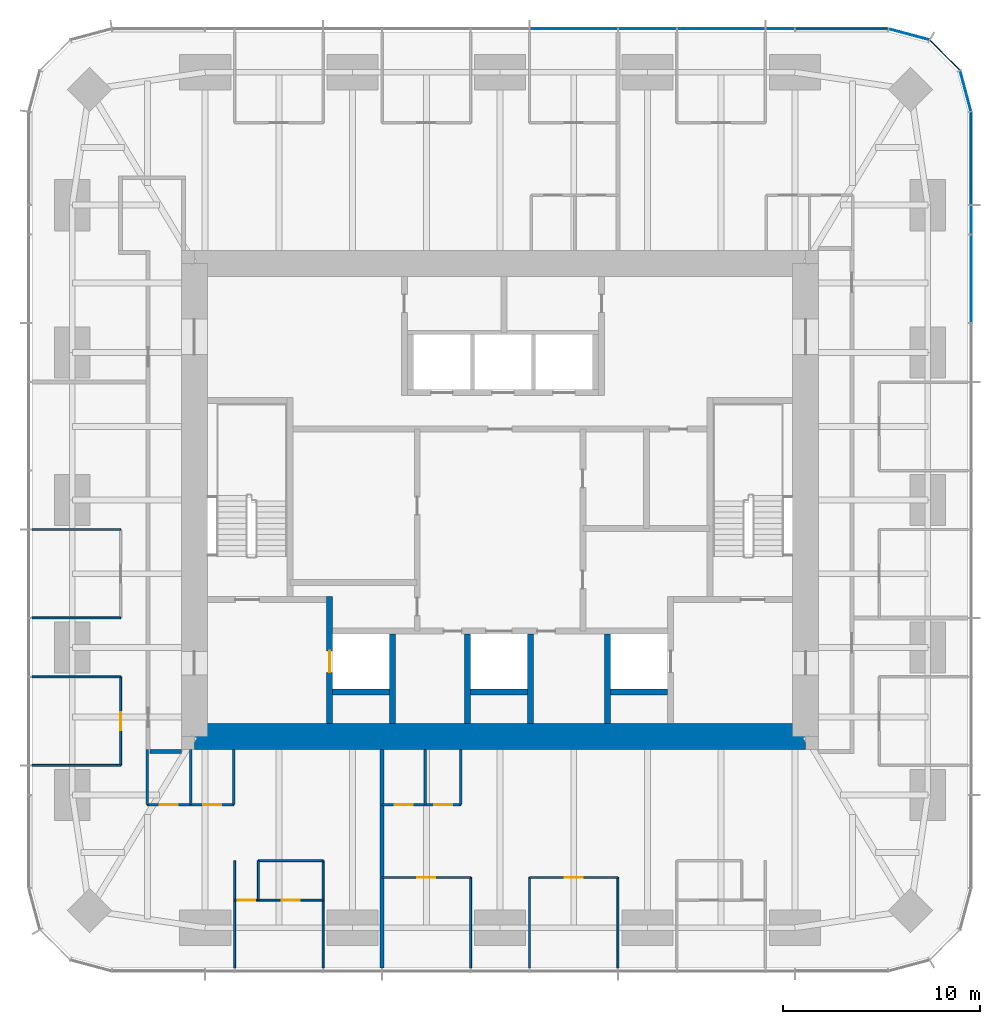
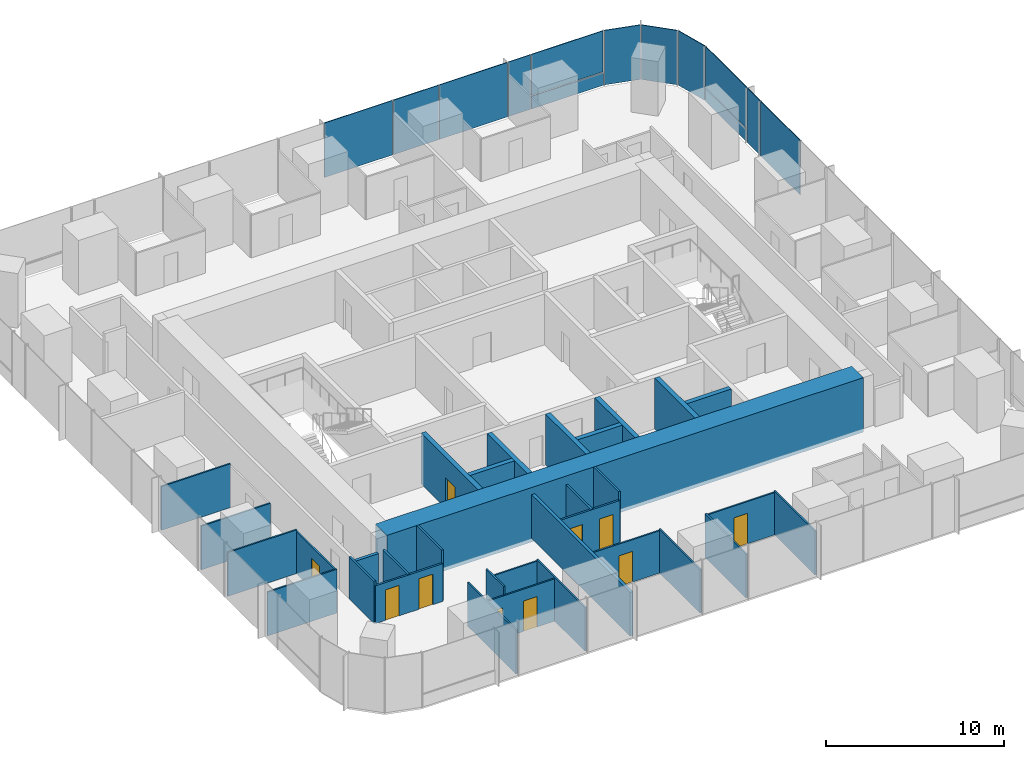
# One storey, part 8 of 12: 33 walls, 13 plates, 10 doors, 10 openings, 3 elements without a shape of their own.
"""IFC4 building model written with IfcOpenShell, lengths in metres."""

from ifc_helpers import new_model, si_unit, direction, frame, frame_2d, origin, origin_2d, place, context, subcontext, project, spatial, rectangle, extrude, material, layer, layer_set, type_object, element, fill, aggregate, save


model = new_model("IFC4")

# Units and contexts
model_context = context("Model", 3, precision=1e-05, world=origin(), true_north=direction((0.0, 1.0)))
body_context = subcontext(model_context, "Body", "Model", "MODEL_VIEW")
ifc_project = project(units=[si_unit("LENGTHUNIT", "METRE"), si_unit("AREAUNIT", "SQUARE_METRE"), si_unit("VOLUMEUNIT", "CUBIC_METRE"), si_unit("PLANEANGLEUNIT", "RADIAN"), si_unit("MASSUNIT", "GRAM", prefix="KILO")], contexts=[model_context])

# Site, building, storey
site_placement = place(None, origin())
site = spatial("IfcSite", under=ifc_project, at=site_placement, CompositionType="ELEMENT")
building_placement = place(site_placement, origin())
building = spatial("IfcBuilding", under=site, at=building_placement, Name="Khuree Lantern Residences", CompositionType="ELEMENT")
storey_placement = place(building_placement, frame((0.0, 0.0, 297.0)))
storey = spatial("IfcBuildingStorey", under=building, at=storey_placement, Name="L74", CompositionType="ELEMENT", Elevation=297.0)

# Curtain wall, plates
ifc_material_1 = material(Name="Bronze anodised aluminium", Category="aluminium")
curtain_wall_type_1 = type_object("IfcCurtainWallType", Name="CW-T2 TOWER CORNER CURTAIN WALL", PredefinedType="USERDEFINED", material=ifc_material_1)
curtain_wall_1_placement = place(storey_placement, origin())
curtain_wall_1 = element("IfcCurtainWall", 1, at=curtain_wall_1_placement, inside=storey, type_object=curtain_wall_type_1, Name="L74 NORTH-EAST CORNER CURTAIN WALL", ObjectType="Faceted corner curtain wall", PredefinedType="USERDEFINED")
ifc_material_2 = material(Name="Bronze tinted triple glazing", Category="glass")
ifc_layer_1 = layer(ifc_material_2, 0.048095703125)
ifc_layer_set_1 = layer_set([ifc_layer_1], Name="FACET PANEL P4")
plate_type_1 = type_object("IfcPlateType", Name="FACET PANEL P4", PredefinedType="CURTAIN_PANEL", material=ifc_layer_set_1)
plate_1_placement = place(storey_placement, frame((23.619140625, 20.748046875, 0.0), z_axis=(0.0, 0.0, 1.0), x_axis=(-0.2588189146, 0.965925861257, 0.0)))
plate_1 = element("IfcPlate", 2, at=plate_1_placement, type_object=plate_type_1, Name="L74 NORTH-EAST CORNER PANEL 15.1", PredefinedType="CURTAIN_PANEL", context=body_context, shape_type="SweptSolid", body=[
    extrude(rectangle(XDim=2.09814453125, YDim=0.048095703125, at=origin_2d()), origin(), (0.0, 0.0, 1.0), 3.75),
])
plate_2_placement = place(storey_placement, frame((22.568603515625, 22.568603515625, 0.0), z_axis=(0.0, 0.0, 1.0), x_axis=(-0.707106781187, 0.707106781187, 0.0)))
plate_2 = element("IfcPlate", 3, at=plate_2_placement, type_object=plate_type_1, Name="L74 NORTH-EAST CORNER PANEL 16.1", PredefinedType="CURTAIN_PANEL", context=body_context, shape_type="SweptSolid", body=[
    extrude(rectangle(XDim=2.093994140625, YDim=0.048095703125, at=origin_2d()), origin(), (0.0, 0.0, 1.0), 3.75),
])
plate_3_placement = place(storey_placement, frame((20.748046875, 23.619140625, 0.0), z_axis=(0.0, 0.0, 1.0), x_axis=(-0.965925861257, 0.2588189146, 0.0)))
plate_3 = element("IfcPlate", 4, at=plate_3_placement, type_object=plate_type_1, Name="L74 NORTH-EAST CORNER PANEL 17.1", PredefinedType="CURTAIN_PANEL", context=body_context, shape_type="SweptSolid", body=[
    extrude(rectangle(XDim=2.09814453125, YDim=0.048095703125, at=origin_2d()), origin(), (0.0, 0.0, 1.0), 3.75),
])
aggregate(curtain_wall_1, [plate_1, plate_2, plate_3])

# Curtain wall, plate
curtain_wall_type_2 = type_object("IfcCurtainWallType", Name="CW-T1 TOWER FACE CURTAIN WALL", PredefinedType="USERDEFINED", material=ifc_material_1)
curtain_wall_2_placement = place(storey_placement, origin())
curtain_wall_2 = element("IfcCurtainWall", 5, at=curtain_wall_2_placement, inside=storey, type_object=curtain_wall_type_2, Name="L74 EAST FACE CURTAIN WALL", ObjectType="Stick-built curtain wall", PredefinedType="USERDEFINED")
ifc_material_3 = material(Name="Bronze tinted triple glazing with a ceramic-fritted spandrel band", Category="glass")
ifc_layer_2 = layer(ifc_material_3, 0.048095703125)
ifc_layer_set_2 = layer_set([ifc_layer_2], Name="FIXED LIGHT PANEL P11")
plate_type_2 = type_object("IfcPlateType", Name="FIXED LIGHT PANEL P11", PredefinedType="CURTAIN_PANEL", material=ifc_layer_set_2)
plate_4_placement = place(storey_placement, frame((23.89990234375, 11.219970703125, 0.0), z_axis=(0.0, 0.0, 1.0), x_axis=(0.0, 1.0, 0.0)))
plate_4 = element("IfcPlate", 6, at=plate_4_placement, type_object=plate_type_2, Name="L74 EAST FACE PANEL 12.1", PredefinedType="CURTAIN_PANEL", context=body_context, shape_type="SweptSolid", body=[
    extrude(rectangle(XDim=4.423095703125, YDim=0.048095703125, at=origin_2d()), origin(), (0.0, 0.0, 1.0), 3.75),
])

# Curtain wall, plates
curtain_wall_3_placement = place(storey_placement, origin())
curtain_wall_3 = element("IfcCurtainWall", 7, at=curtain_wall_3_placement, inside=storey, type_object=curtain_wall_type_2, Name="L74 NORTH FACE CURTAIN WALL", ObjectType="Stick-built curtain wall", PredefinedType="USERDEFINED")
plate_5_placement = place(storey_placement, frame((11.219970703125, 23.89990234375, 0.0), z_axis=(0.0, 0.0, 1.0), x_axis=(-1.0, 0.0, 0.0)))
plate_5 = element("IfcPlate", 8, at=plate_5_placement, type_object=plate_type_2, Name="L74 NORTH FACE PANEL 20.1", PredefinedType="CURTAIN_PANEL", context=body_context, shape_type="SweptSolid", body=[
    extrude(rectangle(XDim=4.423095703125, YDim=0.048095703125, at=origin_2d()), origin(), (0.0, 0.0, 1.0), 3.75),
])
plate_6_placement = place(storey_placement, frame((3.739990234375, 23.89990234375, 0.0), z_axis=(0.0, 0.0, 1.0), x_axis=(-1.0, 0.0, 0.0)))
plate_6 = element("IfcPlate", 9, at=plate_6_placement, type_object=plate_type_2, Name="L74 NORTH FACE PANEL 22.1", PredefinedType="CURTAIN_PANEL", context=body_context, shape_type="SweptSolid", body=[
    extrude(rectangle(XDim=4.423095703125, YDim=0.048095703125, at=origin_2d()), origin(), (0.0, 0.0, 1.0), 3.75),
])
ifc_material_4 = material(Name="Bronze tinted triple glazing, two aluminium-framed sashes in one frame", Category="aluminium")
ifc_layer_3 = layer(ifc_material_4, 0.048095703125)
ifc_layer_set_3 = layer_set([ifc_layer_3], Name="SASH PAIR PANEL P12")
plate_type_3 = type_object("IfcPlateType", Name="SASH PAIR PANEL P12", PredefinedType="CURTAIN_PANEL", material=ifc_layer_set_3)
plate_7_placement = place(storey_placement, frame((7.47998046875, 23.89990234375, 0.0), z_axis=(0.0, 0.0, 1.0), x_axis=(-1.0, 0.0, 0.0)))
plate_7 = element("IfcPlate", 10, at=plate_7_placement, type_object=plate_type_3, Name="L74 NORTH FACE PANEL 21.1", PredefinedType="CURTAIN_PANEL", context=body_context, shape_type="SweptSolid", body=[
    extrude(rectangle(XDim=2.927001953125, YDim=0.048095703125, at=origin_2d()), origin(), (0.0, 0.0, 1.0), 3.75),
])

# Plate
ifc_material_5 = material(Name="Bronze tinted triple glazing, aluminium-framed sash", Category="aluminium")
ifc_layer_4 = layer(ifc_material_5, 0.048095703125)
ifc_layer_set_4 = layer_set([ifc_layer_4], Name="SASH PANEL P3")
plate_type_4 = type_object("IfcPlateType", Name="SASH PANEL P3", PredefinedType="CURTAIN_PANEL", material=ifc_layer_set_4)
plate_8_placement = place(storey_placement, frame((23.89990234375, 14.2119140625, 0.0), z_axis=(0.0, 0.0, 1.0), x_axis=(0.0, 1.0, 0.0)))
plate_8 = element("IfcPlate", 11, at=plate_8_placement, type_object=plate_type_4, Name="L74 EAST FACE PANEL 13.1", PredefinedType="CURTAIN_PANEL", context=body_context, shape_type="SweptSolid", body=[
    extrude(rectangle(XDim=1.430908203125, YDim=0.048095703125, at=origin_2d()), origin(), (0.0, 0.0, 1.0), 3.75),
])

plate_9_placement = place(storey_placement, frame((14.2119140625, 23.89990234375, 0.0), z_axis=(0.0, 0.0, 1.0), x_axis=(-1.0, 0.0, 0.0)))
plate_9 = element("IfcPlate", 12, at=plate_9_placement, type_object=plate_type_4, Name="L74 NORTH FACE PANEL 19.1", PredefinedType="CURTAIN_PANEL", context=body_context, shape_type="SweptSolid", body=[
    extrude(rectangle(XDim=1.430908203125, YDim=0.048095703125, at=origin_2d()), origin(), (0.0, 0.0, 1.0), 3.75),
])

ifc_material_6 = material(Name="Bronze anodised aluminium insulated spandrel", Category="aluminium")
ifc_layer_5 = layer(ifc_material_6, 0.06005859375)
ifc_layer_set_5 = layer_set([ifc_layer_5], Name="SPANDREL PANEL P2")
plate_type_5 = type_object("IfcPlateType", Name="SPANDREL PANEL P2", PredefinedType="CURTAIN_PANEL", material=ifc_layer_set_5)
plate_10_placement = place(storey_placement, frame((23.89990234375, 17.327880859375, 0.0), z_axis=(0.0, 0.0, 1.0), x_axis=(0.0, 1.0, 0.0)))
plate_10 = element("IfcPlate", 13, at=plate_10_placement, type_object=plate_type_5, Name="L74 EAST FACE PANEL 14.1", PredefinedType="CURTAIN_PANEL", context=body_context, shape_type="SweptSolid", body=[
    extrude(rectangle(XDim=4.670654296875, YDim=0.06005859375, at=origin_2d()), origin(), (0.0, 0.0, 1.0), 0.867431640625),
])

plate_11_placement = place(storey_placement, frame((17.327880859375, 23.89990234375, 0.0), z_axis=(0.0, 0.0, 1.0), x_axis=(-1.0, 0.0, 0.0)))
plate_11 = element("IfcPlate", 14, at=plate_11_placement, type_object=plate_type_5, Name="L74 NORTH FACE PANEL 18.1", PredefinedType="CURTAIN_PANEL", context=body_context, shape_type="SweptSolid", body=[
    extrude(rectangle(XDim=4.670654296875, YDim=0.06005859375, at=origin_2d()), origin(), (0.0, 0.0, 1.0), 0.867431640625),
])

ifc_layer_6 = layer(ifc_material_2, 0.048095703125)
ifc_layer_set_6 = layer_set([ifc_layer_6], Name="VISION PANEL P1")
plate_type_6 = type_object("IfcPlateType", Name="VISION PANEL P1", PredefinedType="CURTAIN_PANEL", material=ifc_layer_set_6)
plate_12_placement = place(storey_placement, frame((23.89990234375, 17.328369140625, 0.9326171875), z_axis=(0.0, 0.0, 1.0), x_axis=(0.0, 1.0, 0.0)))
plate_12 = element("IfcPlate", 15, at=plate_12_placement, type_object=plate_type_6, Name="L74 EAST FACE PANEL 14.2", PredefinedType="CURTAIN_PANEL", context=body_context, shape_type="SweptSolid", body=[
    extrude(rectangle(XDim=4.671630859375, YDim=0.048095703125, at=origin_2d()), origin(), (0.0, 0.0, 1.0), 2.8173828125),
])

aggregate(curtain_wall_2, [plate_4, plate_8, plate_10, plate_12])

plate_13_placement = place(storey_placement, frame((17.328369140625, 23.89990234375, 0.9326171875), z_axis=(0.0, 0.0, 1.0), x_axis=(-1.0, 0.0, 0.0)))
plate_13 = element("IfcPlate", 16, at=plate_13_placement, type_object=plate_type_6, Name="L74 NORTH FACE PANEL 18.2", PredefinedType="CURTAIN_PANEL", context=body_context, shape_type="SweptSolid", body=[
    extrude(rectangle(XDim=4.671630859375, YDim=0.048095703125, at=origin_2d()), origin(), (0.0, 0.0, 1.0), 2.8173828125),
])

aggregate(curtain_wall_3, [plate_11, plate_13, plate_9, plate_5, plate_7, plate_6])

# Wall, openings, doors
ifc_material_7 = material(Name="Moisture-resistant gypsum board on steel studs", Category="steel")
ifc_layer_7 = layer(ifc_material_7, 0.125)
ifc_layer_set_7 = layer_set([ifc_layer_7], Name="BATHROOM WALL BTW125")
wall_type_1 = type_object("IfcWallType", Name="BATHROOM WALL BTW125", PredefinedType="PARTITIONING", material=ifc_layer_set_7)
wall_1_placement = place(storey_placement, frame((-17.89990234375, -15.449951171875, 0.0), z_axis=(0.0, 0.0, 1.0), x_axis=(1.0, 0.0, 0.0)))
wall_1 = element("IfcWall", 17, at=wall_1_placement, inside=storey, type_object=wall_type_1, Name="L74 BATHROOM WALL 03", PredefinedType="PARTITIONING", context=body_context, shape_type="SweptSolid", body=[
    extrude(rectangle(XDim=4.39990234375, YDim=0.125, at=frame_2d((2.199951171875, 0.0))), origin(), (0.0, 0.0, 1.0), 2.60009765625),
])
opening_1_placement = place(wall_1_placement, frame((0.64990234375, 0.0, 0.0)))
opening_1 = element("IfcOpeningElement", 18, at=opening_1_placement, cuts=wall_1, Name="Opening 74-039", PredefinedType="OPENING", context=body_context, shape_type="SweptSolid", body=[
    extrude(rectangle(XDim=0.89990234375, YDim=2.10009765625, at=frame_2d((0.449951171875, 1.050048828125))), frame((0.0, 0.072509765625, 0.0), z_axis=(0.0, -1.0, 0.0), x_axis=(1.0, 0.0, 0.0)), (0.0, 0.0, 1.0), 0.14501953125),
])
opening_2_placement = place(wall_1_placement, frame((2.85009765625, 0.0, 0.0)))
opening_2 = element("IfcOpeningElement", 19, at=opening_2_placement, cuts=wall_1, Name="Opening 74-040", PredefinedType="OPENING", context=body_context, shape_type="SweptSolid", body=[
    extrude(rectangle(XDim=0.89990234375, YDim=2.10009765625, at=frame_2d((0.449951171875, 1.050048828125))), frame((0.0, 0.072509765625, 0.0), z_axis=(0.0, -1.0, 0.0), x_axis=(1.0, 0.0, 0.0)), (0.0, 0.0, 1.0), 0.14501953125),
])
ifc_material_8 = material(Name="Timber door leaf in hardwood frame", Category="wood")
door_type_1 = type_object("IfcDoorType", Name="BATHROOM DOOR 900X2100", OperationType="SINGLE_SWING_LEFT", PredefinedType="DOOR", material=ifc_material_8)
door_1_placement = place(opening_1_placement, origin())
door_1 = element("IfcDoor", 20, at=door_1_placement, inside=storey, type_object=door_type_1, Name="Bathroom door 74-039", OperationType="SINGLE_SWING_LEFT", OverallHeight=2.10009765625, OverallWidth=0.89990234375, PredefinedType="DOOR", context=body_context, shape_type="SweptSolid", body=[
    extrude(rectangle(XDim=0.89990234375, YDim=2.10009765625, at=frame_2d((0.449951171875, 1.050048828125))), frame((0.0, 0.02490234375, 0.0), z_axis=(0.0, -1.0, 0.0), x_axis=(1.0, 0.0, 0.0)), (0.0, 0.0, 1.0), 0.050048828125),
])
fill(opening_1, door_1)
door_2_placement = place(opening_2_placement, origin())
door_2 = element("IfcDoor", 21, at=door_2_placement, inside=storey, type_object=door_type_1, Name="Bathroom door 74-040", OperationType="SINGLE_SWING_LEFT", OverallHeight=2.10009765625, OverallWidth=0.89990234375, PredefinedType="DOOR", context=body_context, shape_type="SweptSolid", body=[
    extrude(rectangle(XDim=0.89990234375, YDim=2.10009765625, at=frame_2d((0.449951171875, 1.050048828125))), frame((0.0, 0.02490234375, 0.0), z_axis=(0.0, -1.0, 0.0), x_axis=(1.0, 0.0, 0.0)), (0.0, 0.0, 1.0), 0.050048828125),
])
fill(opening_2, door_2)

# Walls
wall_2_placement = place(storey_placement, frame((-17.89990234375, -12.64990234375, 0.0), z_axis=(0.0, 0.0, 1.0), x_axis=(0.0, -1.0, 0.0)))
element("IfcWall", 22, at=wall_2_placement, inside=storey, type_object=wall_type_1, Name="L74 BATHROOM WALL 03", PredefinedType="PARTITIONING", context=body_context, shape_type="SweptSolid", body=[
    extrude(rectangle(XDim=2.800048828125, YDim=0.125, at=frame_2d((1.39990234375, 0.0))), origin(), (0.0, 0.0, 1.0), 2.89990234375),
])
wall_3_placement = place(storey_placement, frame((-15.699951171875, -12.64990234375, 0.0), z_axis=(0.0, 0.0, 1.0), x_axis=(0.0, -1.0, 0.0)))
element("IfcWall", 23, at=wall_3_placement, inside=storey, type_object=wall_type_1, Name="L74 BATHROOM WALL 03", PredefinedType="PARTITIONING", context=body_context, shape_type="SweptSolid", body=[
    extrude(rectangle(XDim=2.800048828125, YDim=0.125, at=frame_2d((1.39990234375, 0.0))), origin(), (0.0, 0.0, 1.0), 2.60009765625),
])
wall_4_placement = place(storey_placement, frame((-13.5, -12.64990234375, 0.0), z_axis=(0.0, 0.0, 1.0), x_axis=(0.0, -1.0, 0.0)))
element("IfcWall", 24, at=wall_4_placement, inside=storey, type_object=wall_type_1, Name="L74 BATHROOM WALL 03", PredefinedType="PARTITIONING", context=body_context, shape_type="SweptSolid", body=[
    extrude(rectangle(XDim=2.800048828125, YDim=0.125, at=frame_2d((1.39990234375, 0.0))), origin(), (0.0, 0.0, 1.0), 3.5),
])

# Wall, openings, doors
wall_5_placement = place(storey_placement, frame((-5.98388671875, -15.449951171875, 0.0), z_axis=(0.0, 0.0, 1.0), x_axis=(1.0, 0.0, 0.0)))
wall_5 = element("IfcWall", 25, at=wall_5_placement, inside=storey, type_object=wall_type_1, Name="L74 BATHROOM WALL 04", PredefinedType="PARTITIONING", context=body_context, shape_type="SweptSolid", body=[
    extrude(rectangle(XDim=4.0, YDim=0.125, at=frame_2d((2.0, 0.0))), origin(), (0.0, 0.0, 1.0), 2.909912109375),
])
opening_3_placement = place(wall_5_placement, frame((0.64990234375, 0.0, 0.0)))
opening_3 = element("IfcOpeningElement", 26, at=opening_3_placement, cuts=wall_5, Name="Opening 74-047", PredefinedType="OPENING", context=body_context, shape_type="SweptSolid", body=[
    extrude(rectangle(XDim=0.89990234375, YDim=2.10009765625, at=frame_2d((0.449951171875, 1.050048828125))), frame((0.0, 0.072509765625, 0.0), z_axis=(0.0, -1.0, 0.0), x_axis=(1.0, 0.0, 0.0)), (0.0, 0.0, 1.0), 0.14501953125),
])
opening_4_placement = place(wall_5_placement, frame((2.64990234375, 0.0, 0.0)))
opening_4 = element("IfcOpeningElement", 27, at=opening_4_placement, cuts=wall_5, Name="Opening 74-048", PredefinedType="OPENING", context=body_context, shape_type="SweptSolid", body=[
    extrude(rectangle(XDim=0.89990234375, YDim=2.10009765625, at=frame_2d((0.449951171875, 1.050048828125))), frame((0.0, 0.072509765625, 0.0), z_axis=(0.0, -1.0, 0.0), x_axis=(1.0, 0.0, 0.0)), (0.0, 0.0, 1.0), 0.14501953125),
])
door_3_placement = place(opening_3_placement, origin())
door_3 = element("IfcDoor", 28, at=door_3_placement, inside=storey, type_object=door_type_1, Name="Bathroom door 74-047", OperationType="SINGLE_SWING_LEFT", OverallHeight=2.10009765625, OverallWidth=0.89990234375, PredefinedType="DOOR", context=body_context, shape_type="SweptSolid", body=[
    extrude(rectangle(XDim=0.89990234375, YDim=2.10009765625, at=frame_2d((0.449951171875, 1.050048828125))), frame((0.0, 0.02490234375, 0.0), z_axis=(0.0, -1.0, 0.0), x_axis=(1.0, 0.0, 0.0)), (0.0, 0.0, 1.0), 0.050048828125),
])
fill(opening_3, door_3)
door_type_2 = type_object("IfcDoorType", Name="DOOR 900X2100", OperationType="SINGLE_SWING_LEFT", PredefinedType="DOOR", material=ifc_material_8)
door_4_placement = place(opening_4_placement, origin())
door_4 = element("IfcDoor", 29, at=door_4_placement, inside=storey, type_object=door_type_2, Name="Store door 74-048", OperationType="SINGLE_SWING_LEFT", OverallHeight=2.10009765625, OverallWidth=0.89990234375, PredefinedType="DOOR", context=body_context, shape_type="SweptSolid", body=[
    extrude(rectangle(XDim=0.89990234375, YDim=2.10009765625, at=frame_2d((0.449951171875, 1.050048828125))), frame((0.0, 0.02490234375, 0.0), z_axis=(0.0, -1.0, 0.0), x_axis=(1.0, 0.0, 0.0)), (0.0, 0.0, 1.0), 0.050048828125),
])
fill(opening_4, door_4)

# Walls
wall_6_placement = place(storey_placement, frame((-3.783935546875, -12.64990234375, 0.0), z_axis=(0.0, 0.0, 1.0), x_axis=(0.0, -1.0, 0.0)))
element("IfcWall", 30, at=wall_6_placement, inside=storey, type_object=wall_type_1, Name="L74 BATHROOM WALL 04", PredefinedType="PARTITIONING", context=body_context, shape_type="SweptSolid", body=[
    extrude(rectangle(XDim=2.800048828125, YDim=0.125, at=frame_2d((1.39990234375, 0.0))), origin(), (0.0, 0.0, 1.0), 2.909912109375),
])
wall_7_placement = place(storey_placement, frame((-1.98388671875, -12.64990234375, 0.0), z_axis=(0.0, 0.0, 1.0), x_axis=(0.0, -1.0, 0.0)))
element("IfcWall", 31, at=wall_7_placement, inside=storey, type_object=wall_type_1, Name="L74 BATHROOM WALL 04", PredefinedType="PARTITIONING", context=body_context, shape_type="SweptSolid", body=[
    extrude(rectangle(XDim=2.800048828125, YDim=0.125, at=frame_2d((1.39990234375, 0.0))), origin(), (0.0, 0.0, 1.0), 3.5),
])

# Wall, opening, door
ifc_material_9 = material(Name="Dense concrete blockwork", Category="masonry")
ifc_layer_8 = layer(ifc_material_9, 0.300048828125)
ifc_layer_set_8 = layer_set([ifc_layer_8], Name="CORE PARTITION WALL CPW300 EI 120")
wall_type_2 = type_object("IfcWallType", Name="CORE PARTITION WALL CPW300 EI 120", PredefinedType="PARTITIONING", material=ifc_layer_set_8)
wall_8_placement = place(storey_placement, frame((-8.64990234375, -11.35009765625, 0.0), z_axis=(0.0, 0.0, 1.0), x_axis=(0.0, 1.0, 0.0)))
wall_8 = element("IfcWall", 32, at=wall_8_placement, inside=storey, type_object=wall_type_2, Name="L74 CORE WALL FL1W", PredefinedType="PARTITIONING", context=body_context, shape_type="SweptSolid", body=[
    extrude(rectangle(XDim=6.4501953125, YDim=0.300048828125, at=frame_2d((3.22509765625, 0.0))), origin(), (0.0, 0.0, 1.0), 3.5),
])
opening_5_placement = place(wall_8_placement, frame((2.60009765625, 0.0, 0.0)))
opening_5 = element("IfcOpeningElement", 33, at=opening_5_placement, cuts=wall_8, Name="Opening 74-007", PredefinedType="OPENING", context=body_context, shape_type="SweptSolid", body=[
    extrude(rectangle(XDim=1.10009765625, YDim=2.10009765625, at=frame_2d((0.550048828125, 1.050048828125))), frame((0.0, 0.16015625, 0.0), z_axis=(0.0, -1.0, 0.0), x_axis=(1.0, 0.0, 0.0)), (0.0, 0.0, 1.0), 0.320068359375),
])
ifc_material_10 = material(Name="Stainless steel lift landing door", Category="steel")
door_type_3 = type_object("IfcDoorType", Name="LIFT LANDING DOOR 1100X2100 E 120", OperationType="DOUBLE_DOOR_SLIDING", PredefinedType="DOOR", material=ifc_material_10)
door_5_placement = place(opening_5_placement, origin())
door_5 = element("IfcDoor", 34, at=door_5_placement, inside=storey, type_object=door_type_3, Name="Landing door FL1 74-007", OperationType="DOUBLE_DOOR_SLIDING", OverallHeight=2.10009765625, OverallWidth=1.10009765625, PredefinedType="DOOR", context=body_context, shape_type="SweptSolid", body=[
    extrude(rectangle(XDim=1.10009765625, YDim=2.10009765625, at=frame_2d((0.550048828125, 1.050048828125))), frame((0.0, 0.02490234375, 0.0), z_axis=(0.0, -1.0, 0.0), x_axis=(1.0, 0.0, 0.0)), (0.0, 0.0, 1.0), 0.050048828125),
])
fill(opening_5, door_5)

# Walls
for number, where, z_axis, x_axis, name in (
    (35, (-5.449951171875, -11.35009765625, 0.0), (0.0, 0.0, 1.0), (0.0, 1.0, 0.0), "L74 CORE WALL FL1E"),
    (36, (-1.64990234375, -11.35009765625, 0.0), (0.0, 0.0, 1.0), (0.0, 1.0, 0.0), "L74 CORE WALL SL1W"),
    (37, (1.550048828125, -11.35009765625, 0.0), (0.0, 0.0, 1.0), (0.0, 1.0, 0.0), "L74 CORE WALL SL1E"),
    (38, (5.449951171875, -11.35009765625, 0.0), (0.0, 0.0, 1.0), (0.0, 1.0, 0.0), "L74 CORE WALL FL2W"),
):
    element("IfcWall", number, at=place(storey_placement, frame(where, z_axis=z_axis, x_axis=x_axis)), inside=storey, type_object=wall_type_2, Name=name, PredefinedType="PARTITIONING", context=body_context, shape_type="SweptSolid", body=[
        extrude(rectangle(XDim=4.550048828125, YDim=0.300048828125, at=frame_2d((2.27490234375, 0.0))), origin(), (0.0, 0.0, 1.0), 3.5),
    ])
for number, where, z_axis, x_axis, name in (
    (39, (-8.5, -9.75, 0.0), (0.0, 0.0, 1.0), (1.0, 0.0, 0.0), "L74 CORE WALL FL1S"),
    (40, (-1.5, -9.75, 0.0), (0.0, 0.0, 1.0), (1.0, 0.0, 0.0), "L74 CORE WALL SL1S"),
    (41, (5.60009765625, -9.75, 0.0), (0.0, 0.0, 1.0), (1.0, 0.0, 0.0), "L74 CORE WALL FL2S"),
):
    element("IfcWall", number, at=place(storey_placement, frame(where, z_axis=z_axis, x_axis=x_axis)), inside=storey, type_object=wall_type_2, Name=name, PredefinedType="PARTITIONING", context=body_context, shape_type="SweptSolid", body=[
        extrude(rectangle(XDim=2.89990234375, YDim=0.300048828125, at=frame_2d((1.449951171875, 0.0))), origin(), (0.0, 0.0, 1.0), 3.5),
    ])
ifc_material_11 = material(Name="Gypsum board on steel studs", Category="steel")
ifc_layer_9 = layer(ifc_material_11, 0.199951171875)
ifc_layer_set_9 = layer_set([ifc_layer_9], Name="CORRIDOR WALL CRW200 EI 60")
wall_type_3 = type_object("IfcWallType", Name="CORRIDOR WALL CRW200 EI 60", PredefinedType="PARTITIONING", material=ifc_layer_set_9)
wall_9_placement = place(storey_placement, frame((-16.14990234375, -12.75, 0.0), z_axis=(0.0, 0.0, 1.0), x_axis=(-1.0, 0.0, 0.0)))
element("IfcWall", 42, at=wall_9_placement, inside=storey, type_object=wall_type_3, Name="L74 WEST CORRIDOR SOUTH END WALL", PredefinedType="PARTITIONING", context=body_context, shape_type="SweptSolid", body=[
    extrude(rectangle(XDim=1.60009765625, YDim=0.199951171875, at=frame_2d((0.800048828125, 0.0))), origin(), (0.0, 0.0, 1.0), 2.60009765625),
])
ifc_material_12 = material(Name="Concrete C50/60", Category="concrete")
ifc_layer_10 = layer(ifc_material_12, 1.300048828125)
ifc_layer_set_10 = layer_set([ifc_layer_10], Name="CW1300-C50 CORE WALL C50 1300")
wall_type_4 = type_object("IfcWallType", Name="CW1300-C50 CORE WALL C50 1300", PredefinedType="SHEAR", material=ifc_layer_set_10)
wall_10_placement = place(storey_placement, frame((-15.5, -12.0, -0.25), z_axis=(0.0, 0.0, 1.0), x_axis=(1.0, 0.0, 0.0)))
element("IfcWall", 43, at=wall_10_placement, inside=storey, type_object=wall_type_4, Name="Core wall S", PredefinedType="SHEAR", context=body_context, shape_type="SweptSolid", body=[
    extrude(rectangle(XDim=31.0, YDim=1.300048828125, at=frame_2d((15.5, 0.0))), origin(), (0.0, 0.0, 1.0), 3.75),
])
ifc_layer_11 = layer(ifc_material_11, 0.199951171875)
ifc_layer_set_11 = layer_set([ifc_layer_11], Name="DEMISING WALL DMW200 EI 90")
wall_type_5 = type_object("IfcWallType", Name="DEMISING WALL DMW200 EI 90", PredefinedType="PARTITIONING", material=ifc_layer_set_11)
wall_11_placement = place(storey_placement, frame((-5.98388671875, -12.64990234375, 0.0), z_axis=(0.0, 0.0, 1.0), x_axis=(0.0, -1.0, 0.0)))
element("IfcWall", 44, at=wall_11_placement, inside=storey, type_object=wall_type_5, Name="L74 DEMISING WALL 04", PredefinedType="PARTITIONING", context=body_context, shape_type="SweptSolid", body=[
    extrude(rectangle(XDim=11.10009765625, YDim=0.199951171875, at=frame_2d((5.550048828125, 0.0))), origin(), (0.0, 0.0, 1.0), 3.010009765625),
])
ifc_layer_12 = layer(ifc_material_11, 0.10009765625)
ifc_layer_set_12 = layer_set([ifc_layer_12], Name="PARTITION PT100")
wall_type_6 = type_object("IfcWallType", Name="PARTITION PT100", PredefinedType="PARTITIONING", material=ifc_layer_set_12)
for number, where, z_axis, x_axis, name in (
    (45, (-19.25, -1.49609375, 0.0), (0.0, 0.0, 1.0), (-1.0, 0.0, 0.0), "L74 PARTITION 03"),
    (46, (-19.25, -5.98388671875, 0.0), (0.0, 0.0, 1.0), (-1.0, 0.0, 0.0), "L74 PARTITION 03"),
    (47, (-19.25, -8.97607421875, 0.0), (0.0, 0.0, 1.0), (-1.0, 0.0, 0.0), "L74 PARTITION 03"),
    (48, (-19.25, -13.464111328125, 0.0), (0.0, 0.0, 1.0), (-1.0, 0.0, 0.0), "L74 PARTITION 03"),
):
    element("IfcWall", number, at=place(storey_placement, frame(where, z_axis=z_axis, x_axis=x_axis)), inside=storey, type_object=wall_type_6, Name=name, PredefinedType="PARTITIONING", context=body_context, shape_type="SweptSolid", body=[
        extrude(rectangle(XDim=4.5, YDim=0.10009765625, at=frame_2d((2.25, 0.0))), origin(), (0.0, 0.0, 1.0), 3.010009765625),
    ])
for number, where, z_axis, x_axis, name in (
    (49, (-13.464111328125, -18.29638671875, 0.0), (0.0, 0.0, 1.0), (0.0, -1.0, 0.0), "L74 PARTITION 03"),
    (50, (-8.97607421875, -18.29638671875, 0.0), (0.0, 0.0, 1.0), (0.0, -1.0, 0.0), "L74 PARTITION 03"),
):
    element("IfcWall", number, at=place(storey_placement, frame(where, z_axis=z_axis, x_axis=x_axis)), inside=storey, type_object=wall_type_6, Name=name, PredefinedType="PARTITIONING", context=body_context, shape_type="SweptSolid", body=[
        extrude(rectangle(XDim=5.45361328125, YDim=0.10009765625, at=frame_2d((2.726806640625, 0.0))), origin(), (0.0, 0.0, 1.0), 3.010009765625),
    ])
for number, where, z_axis, x_axis, name in (
    (51, (-1.49609375, -19.14990234375, 0.0), (0.0, 0.0, 1.0), (0.0, -1.0, 0.0), "L74 PARTITION 04"),
    (52, (1.49609375, -19.14990234375, 0.0), (0.0, 0.0, 1.0), (0.0, -1.0, 0.0), "L74 PARTITION 04"),
    (53, (5.98388671875, -19.14990234375, 0.0), (0.0, 0.0, 1.0), (0.0, -1.0, 0.0), "L74 PARTITION 04"),
):
    element("IfcWall", number, at=place(storey_placement, frame(where, z_axis=z_axis, x_axis=x_axis)), inside=storey, type_object=wall_type_6, Name=name, PredefinedType="PARTITIONING", context=body_context, shape_type="SweptSolid", body=[
        extrude(rectangle(XDim=4.60009765625, YDim=0.10009765625, at=frame_2d((2.300048828125, 0.0))), origin(), (0.0, 0.0, 1.0), 3.010009765625),
    ])

# Wall, opening, door
wall_12_placement = place(storey_placement, frame((-19.25, -8.97607421875, 0.0), z_axis=(0.0, 0.0, 1.0), x_axis=(0.0, -1.0, 0.0)))
wall_12 = element("IfcWall", 54, at=wall_12_placement, inside=storey, type_object=wall_type_6, Name="L74 PARTITION 03", PredefinedType="PARTITIONING", context=body_context, shape_type="SweptSolid", body=[
    extrude(rectangle(XDim=4.488037109375, YDim=0.10009765625, at=frame_2d((2.244140625, 0.0))), origin(), (0.0, 0.0, 1.0), 2.909912109375),
])
opening_6_placement = place(wall_12_placement, frame((1.7939453125, 0.0, 0.0)))
opening_6 = element("IfcOpeningElement", 55, at=opening_6_placement, cuts=wall_12, Name="Opening 74-036", PredefinedType="OPENING", context=body_context, shape_type="SweptSolid", body=[
    extrude(rectangle(XDim=0.89990234375, YDim=2.10009765625, at=frame_2d((0.449951171875, 1.050048828125))), frame((0.0, 0.06005859375, 0.0), z_axis=(0.0, -1.0, 0.0), x_axis=(1.0, 0.0, 0.0)), (0.0, 0.0, 1.0), 0.1201171875),
])
door_type_4 = type_object("IfcDoorType", Name="BEDROOM DOOR 900X2100", OperationType="SINGLE_SWING_LEFT", PredefinedType="DOOR", material=ifc_material_8)
door_6_placement = place(opening_6_placement, origin())
door_6 = element("IfcDoor", 56, at=door_6_placement, inside=storey, type_object=door_type_4, Name="Bedroom door 74-036", OperationType="SINGLE_SWING_LEFT", OverallHeight=2.10009765625, OverallWidth=0.89990234375, PredefinedType="DOOR", context=body_context, shape_type="SweptSolid", body=[
    extrude(rectangle(XDim=0.89990234375, YDim=2.10009765625, at=frame_2d((0.449951171875, 1.050048828125))), frame((0.0, 0.02490234375, 0.0), z_axis=(0.0, -1.0, 0.0), x_axis=(1.0, 0.0, 0.0)), (0.0, 0.0, 1.0), 0.050048828125),
])
fill(opening_6, door_6)

# Wall, openings, doors
wall_13_placement = place(storey_placement, frame((-13.464111328125, -20.29638671875, 0.0), z_axis=(0.0, 0.0, 1.0), x_axis=(1.0, 0.0, 0.0)))
wall_13 = element("IfcWall", 57, at=wall_13_placement, inside=storey, type_object=wall_type_6, Name="L74 PARTITION 03", PredefinedType="PARTITIONING", context=body_context, shape_type="SweptSolid", body=[
    extrude(rectangle(XDim=4.488037109375, YDim=0.10009765625, at=frame_2d((2.244140625, 0.0))), origin(), (0.0, 0.0, 1.0), 2.909912109375),
])
opening_7_placement = place(wall_13_placement, frame((0.14990234375, 0.0, 0.0)))
opening_7 = element("IfcOpeningElement", 58, at=opening_7_placement, cuts=wall_13, Name="Opening 74-037", PredefinedType="OPENING", context=body_context, shape_type="SweptSolid", body=[
    extrude(rectangle(XDim=0.89990234375, YDim=2.10009765625, at=frame_2d((0.449951171875, 1.050048828125))), frame((0.0, 0.06005859375, 0.0), z_axis=(0.0, -1.0, 0.0), x_axis=(1.0, 0.0, 0.0)), (0.0, 0.0, 1.0), 0.1201171875),
])
opening_8_placement = place(wall_13_placement, frame((2.39404296875, 0.0, 0.0)))
opening_8 = element("IfcOpeningElement", 59, at=opening_8_placement, cuts=wall_13, Name="Opening 74-038", PredefinedType="OPENING", context=body_context, shape_type="SweptSolid", body=[
    extrude(rectangle(XDim=0.89990234375, YDim=2.10009765625, at=frame_2d((0.449951171875, 1.050048828125))), frame((0.0, 0.06005859375, 0.0), z_axis=(0.0, -1.0, 0.0), x_axis=(1.0, 0.0, 0.0)), (0.0, 0.0, 1.0), 0.1201171875),
])
door_7_placement = place(opening_7_placement, origin())
door_7 = element("IfcDoor", 60, at=door_7_placement, inside=storey, type_object=door_type_4, Name="Bedroom door 74-037", OperationType="SINGLE_SWING_LEFT", OverallHeight=2.10009765625, OverallWidth=0.89990234375, PredefinedType="DOOR", context=body_context, shape_type="SweptSolid", body=[
    extrude(rectangle(XDim=0.89990234375, YDim=2.10009765625, at=frame_2d((0.449951171875, 1.050048828125))), frame((0.0, 0.02490234375, 0.0), z_axis=(0.0, -1.0, 0.0), x_axis=(1.0, 0.0, 0.0)), (0.0, 0.0, 1.0), 0.050048828125),
])
fill(opening_7, door_7)
door_8_placement = place(opening_8_placement, origin())
door_8 = element("IfcDoor", 61, at=door_8_placement, inside=storey, type_object=door_type_2, Name="Wardrobe door 74-038", OperationType="SINGLE_SWING_LEFT", OverallHeight=2.10009765625, OverallWidth=0.89990234375, PredefinedType="DOOR", context=body_context, shape_type="SweptSolid", body=[
    extrude(rectangle(XDim=0.89990234375, YDim=2.10009765625, at=frame_2d((0.449951171875, 1.050048828125))), frame((0.0, 0.02490234375, 0.0), z_axis=(0.0, -1.0, 0.0), x_axis=(1.0, 0.0, 0.0)), (0.0, 0.0, 1.0), 0.050048828125),
])
fill(opening_8, door_8)

# Walls
wall_14_placement = place(storey_placement, frame((-12.263916015625, -18.29638671875, 0.0), z_axis=(0.0, 0.0, 1.0), x_axis=(0.0, -1.0, 0.0)))
element("IfcWall", 62, at=wall_14_placement, inside=storey, type_object=wall_type_6, Name="L74 PARTITION 03", PredefinedType="PARTITIONING", context=body_context, shape_type="SweptSolid", body=[
    extrude(rectangle(XDim=2.0, YDim=0.10009765625, at=frame_2d((1.0, 0.0))), origin(), (0.0, 0.0, 1.0), 3.5),
])
wall_15_placement = place(storey_placement, frame((-12.263916015625, -18.29638671875, 0.0), z_axis=(0.0, 0.0, 1.0), x_axis=(1.0, 0.0, 0.0)))
element("IfcWall", 63, at=wall_15_placement, inside=storey, type_object=wall_type_6, Name="L74 PARTITION 03", PredefinedType="PARTITIONING", context=body_context, shape_type="SweptSolid", body=[
    extrude(rectangle(XDim=3.287841796875, YDim=0.10009765625, at=frame_2d((1.64404296875, 0.0))), origin(), (0.0, 0.0, 1.0), 2.909912109375),
])

# Wall, opening, door
wall_16_placement = place(storey_placement, frame((-5.98388671875, -19.14990234375, 0.0), z_axis=(0.0, 0.0, 1.0), x_axis=(1.0, 0.0, 0.0)))
wall_16 = element("IfcWall", 64, at=wall_16_placement, inside=storey, type_object=wall_type_6, Name="L74 PARTITION 04", PredefinedType="PARTITIONING", context=body_context, shape_type="SweptSolid", body=[
    extrude(rectangle(XDim=4.48779296875, YDim=0.10009765625, at=frame_2d((2.243896484375, 0.0))), origin(), (0.0, 0.0, 1.0), 2.909912109375),
])
opening_9_placement = place(wall_16_placement, frame((1.7939453125, 0.0, 0.0)))
opening_9 = element("IfcOpeningElement", 65, at=opening_9_placement, cuts=wall_16, Name="Opening 74-042", PredefinedType="OPENING", context=body_context, shape_type="SweptSolid", body=[
    extrude(rectangle(XDim=0.89990234375, YDim=2.10009765625, at=frame_2d((0.449951171875, 1.050048828125))), frame((0.0, 0.06005859375, 0.0), z_axis=(0.0, -1.0, 0.0), x_axis=(1.0, 0.0, 0.0)), (0.0, 0.0, 1.0), 0.1201171875),
])
door_9_placement = place(opening_9_placement, origin())
door_9 = element("IfcDoor", 66, at=door_9_placement, inside=storey, type_object=door_type_4, Name="Bedroom door 74-042", OperationType="SINGLE_SWING_LEFT", OverallHeight=2.10009765625, OverallWidth=0.89990234375, PredefinedType="DOOR", context=body_context, shape_type="SweptSolid", body=[
    extrude(rectangle(XDim=0.89990234375, YDim=2.10009765625, at=frame_2d((0.449951171875, 1.050048828125))), frame((0.0, 0.02490234375, 0.0), z_axis=(0.0, -1.0, 0.0), x_axis=(1.0, 0.0, 0.0)), (0.0, 0.0, 1.0), 0.050048828125),
])
fill(opening_9, door_9)

wall_17_placement = place(storey_placement, frame((1.49609375, -19.14990234375, 0.0), z_axis=(0.0, 0.0, 1.0), x_axis=(1.0, 0.0, 0.0)))
wall_17 = element("IfcWall", 67, at=wall_17_placement, inside=storey, type_object=wall_type_6, Name="L74 PARTITION 04", PredefinedType="PARTITIONING", context=body_context, shape_type="SweptSolid", body=[
    extrude(rectangle(XDim=4.48779296875, YDim=0.10009765625, at=frame_2d((2.243896484375, 0.0))), origin(), (0.0, 0.0, 1.0), 2.909912109375),
])
opening_10_placement = place(wall_17_placement, frame((1.7939453125, 0.0, 0.0)))
opening_10 = element("IfcOpeningElement", 68, at=opening_10_placement, cuts=wall_17, Name="Opening 74-043", PredefinedType="OPENING", context=body_context, shape_type="SweptSolid", body=[
    extrude(rectangle(XDim=0.89990234375, YDim=2.10009765625, at=frame_2d((0.449951171875, 1.050048828125))), frame((0.0, 0.06005859375, 0.0), z_axis=(0.0, -1.0, 0.0), x_axis=(1.0, 0.0, 0.0)), (0.0, 0.0, 1.0), 0.1201171875),
])
door_10_placement = place(opening_10_placement, origin())
door_10 = element("IfcDoor", 69, at=door_10_placement, inside=storey, type_object=door_type_4, Name="Bedroom door 74-043", OperationType="SINGLE_SWING_LEFT", OverallHeight=2.10009765625, OverallWidth=0.89990234375, PredefinedType="DOOR", context=body_context, shape_type="SweptSolid", body=[
    extrude(rectangle(XDim=0.89990234375, YDim=2.10009765625, at=frame_2d((0.449951171875, 1.050048828125))), frame((0.0, 0.02490234375, 0.0), z_axis=(0.0, -1.0, 0.0), x_axis=(1.0, 0.0, 0.0)), (0.0, 0.0, 1.0), 0.050048828125),
])
fill(opening_10, door_10)

save(model, "model.ifc")
